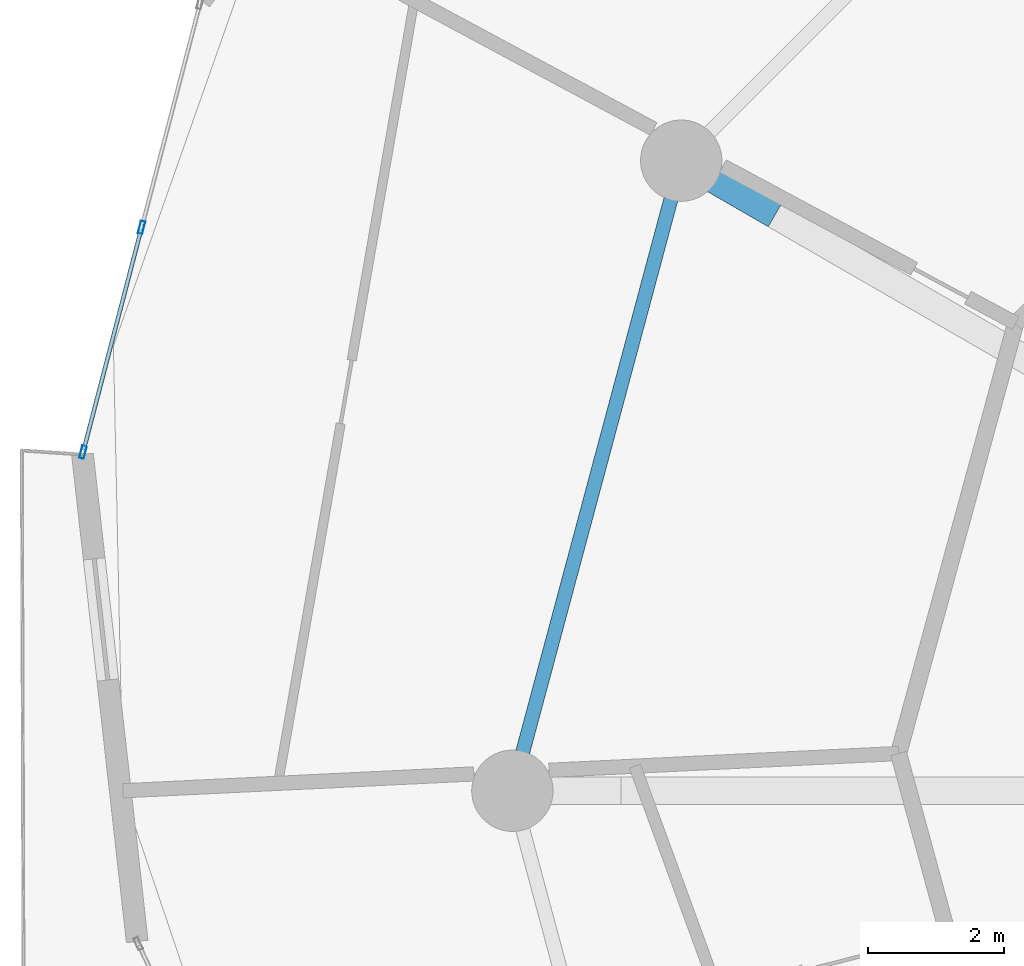
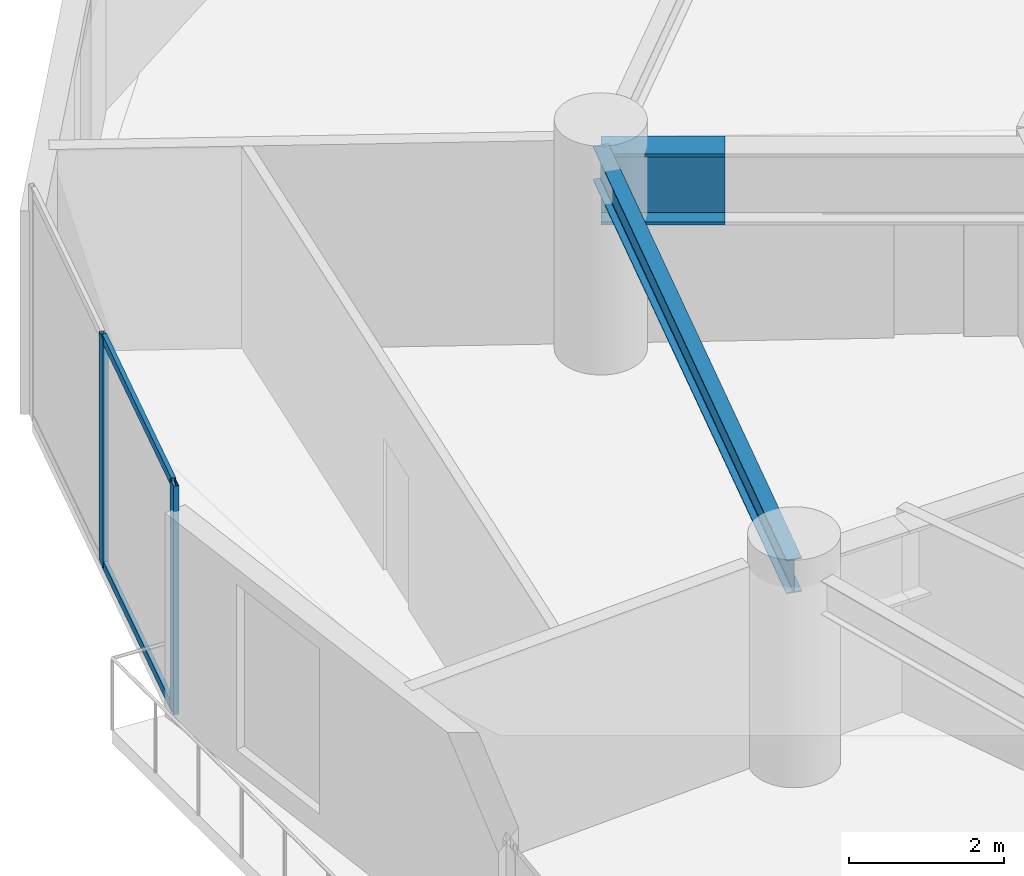
# One storey, part 6 of 24: 4 members, 2 beams, 1 element without a shape of its own.
"""IFC4 building model written with IfcOpenShell, lengths in metres."""

from ifc_helpers import new_model, si_unit, direction, frame, origin, origin_2d, place, context, subcontext, project, spatial, hollow_rectangle, i_section, extrude, source, transform, mapped, material, layer, layer_set, material_profile, profile_set, type_object, element, aggregate, save


model = new_model("IFC4")

# Units and contexts
model_context = context("Model", 3, precision=1e-05, world=origin(), true_north=direction((0.0, 1.0)))
body_context = subcontext(model_context, "Body", "Model", "MODEL_VIEW")
ifc_project = project(units=[si_unit("LENGTHUNIT", "METRE"), si_unit("AREAUNIT", "SQUARE_METRE"), si_unit("VOLUMEUNIT", "CUBIC_METRE"), si_unit("PLANEANGLEUNIT", "RADIAN"), si_unit("MASSUNIT", "GRAM", prefix="KILO")], contexts=[model_context])

# Site, building, storey
site_placement = place(None, origin())
site = spatial("IfcSite", under=ifc_project, at=site_placement, CompositionType="ELEMENT")
building_placement = place(site_placement, origin())
building = spatial("IfcBuilding", under=site, at=building_placement, Name="Solvirekh Grand Hotel", CompositionType="ELEMENT")
storey_placement = place(building_placement, frame((0.0, 0.0, 89.60009765625)))
storey = spatial("IfcBuildingStorey", under=building, at=storey_placement, Name="L22", CompositionType="ELEMENT", Elevation=89.60009765625)

# Beams
ifc_material_1 = material(Name="Steel S355", Category="steel")
ifc_material_profile_1 = material_profile(ifc_material_1, i_section(OverallWidth=0.208984375, OverallDepth=0.532958984375, WebThickness=0.010009765625, FlangeThickness=0.014892578125, FilletRadius=0.013916015625, at=origin_2d()), Name="W530X92")
ifc_profile_set_1 = profile_set([ifc_material_profile_1], Name="Steel S355")
beam_type_1 = type_object("IfcBeamType", Name="Spandrel_Ring_W530", PredefinedType="SPANDREL", material=ifc_profile_set_1)
beam_1_placement = place(storey_placement, frame((-16.10791015625, 9.300048828125, 2.933837890625), z_axis=(-0.258842973314, -0.965919414426, 0.0), x_axis=(0.965919414426, -0.258842973314, 0.0)))
element("IfcBeam", 1, at=beam_1_placement, inside=storey, type_object=beam_type_1, Name="L22 perimeter spandrel beam 6", PredefinedType="SPANDREL", context=body_context, shape_type="SweptSolid", body=[
    extrude(i_section(OverallWidth=0.208984375, OverallDepth=0.532958984375, WebThickness=0.010009765625, FlangeThickness=0.014892578125, FilletRadius=0.013916015625, at=origin_2d()), origin(), (0.0, 0.0, 1.0), 9.628173828125),
])
ifc_material_2 = material(Name="Steel S460", Category="steel")
ifc_material_profile_2 = material_profile(ifc_material_2, i_section(OverallWidth=0.405029296875, OverallDepth=1.117919921875, WebThickness=0.02587890625, FlangeThickness=0.048095703125, FilletRadius=0.02392578125, at=origin_2d()), Name="W1100X499")
ifc_profile_set_2 = profile_set([ifc_material_profile_2], Name="Steel S460")
beam_type_2 = type_object("IfcBeamType", Name="TransferGirder_W1100", PredefinedType="USERDEFINED", material=ifc_profile_set_2)
beam_2_placement = place(storey_placement, frame((-14.721923828125, 8.5, 2.640869140625), z_axis=(-0.866066190972, 0.499929347863, 0.0), x_axis=(-0.499929347863, -0.866066190972, 0.0)))
element("IfcBeam", 2, at=beam_2_placement, inside=storey, type_object=beam_type_2, Name="L22 outer radial transfer girder 6B", ObjectType="TRANSFER GIRDER", PredefinedType="USERDEFINED", context=body_context, shape_type="SweptSolid", body=[
    extrude(i_section(OverallWidth=0.405029296875, OverallDepth=1.117919921875, WebThickness=0.02587890625, FlangeThickness=0.048095703125, FilletRadius=0.02392578125, at=origin_2d()), origin(), (0.0, 0.0, 1.0), 1.600341796875),
])

# Curtain wall, members
ifc_material_3 = material(Name="Anodized Bronze Aluminium 6063-T6", Category="aluminium")
ifc_layer = layer(ifc_material_3, 0.18994140625)
ifc_layer_set = layer_set([ifc_layer], Name="Anodized Bronze Aluminium 6063-T6")
curtain_wall_type = type_object("IfcCurtainWallType", Name="CW_Sys2_LowZoneFlushBronzeCW", PredefinedType="NOTDEFINED", material=ifc_layer_set)
curtain_wall_placement = place(storey_placement, origin())
curtain_wall = element("IfcCurtainWall", 3, at=curtain_wall_placement, inside=storey, type_object=curtain_wall_type, Name="L22 unitised bronze-glass curtain wall CW-L22-C11", PredefinedType="NOTDEFINED")
ifc_material_profile_3 = material_profile(ifc_material_3, hollow_rectangle(XDim=0.070068359375, YDim=0.18994140625, WallThickness=0.0048828125, at=origin_2d()), Name="ALU RHS 190X70X5")
ifc_profile_set_3 = profile_set([ifc_material_profile_3], Name="Anodized Bronze Aluminium 6063-T6")
member_type_1 = type_object("IfcMemberType", Name="CWMullion_Sys2", PredefinedType="MULLION", material=ifc_profile_set_3)
shared_shape_1 = source(origin(), body_context, "Body", "SweptSolid", [
    extrude(hollow_rectangle(XDim=0.070068359375, YDim=0.18994140625, WallThickness=0.0048828125, at=origin_2d()), origin(), (0.0, 0.0, 1.0), 3.599853515625),
])
member_1_placement = place(storey_placement, frame((-24.072021484375, 8.31494140625, 0.0), z_axis=(0.0, 0.0, 1.0), x_axis=(0.967700020826, -0.252104481701, 0.0)))
member_1 = element("IfcMember", 4, at=member_1_placement, type_object=member_type_1, Name="U02 mullion 2", PredefinedType="MULLION", context=body_context, shape_type="MappedRepresentation", body=[
    mapped(shared_shape_1, transform((0.0, 0.0, 0.0), x_axis=(1.0, 0.0, 0.0), y_axis=(0.0, 1.0, 0.0), z_axis=(0.0, 0.0, 1.0), scale=1.0)),
])
member_2_placement = place(storey_placement, frame((-24.936279296875, 4.997802734375, 0.0), z_axis=(0.0, 0.0, 1.0), x_axis=(0.967700020826, -0.252104481701, 0.0)))
member_2 = element("IfcMember", 5, at=member_2_placement, type_object=member_type_1, Name="U02 mullion 3", PredefinedType="MULLION", context=body_context, shape_type="MappedRepresentation", body=[
    mapped(shared_shape_1, transform((0.0, 0.0, 0.0), x_axis=(1.0, 0.0, 0.0), y_axis=(0.0, 1.0, 0.0), z_axis=(0.0, 0.0, 1.0), scale=1.0)),
])
ifc_material_profile_4 = material_profile(ifc_material_3, hollow_rectangle(XDim=0.06005859375, YDim=0.135009765625, WallThickness=0.00390625, at=origin_2d()), Name="ALU RHS 135X60X4")
ifc_profile_set_4 = profile_set([ifc_material_profile_4], Name="Anodized Bronze Aluminium 6063-T6")
member_type_2 = type_object("IfcMemberType", Name="CWTransom_Sys2", PredefinedType="USERDEFINED", material=ifc_profile_set_4)
shared_shape_2 = source(origin(), body_context, "Body", "SweptSolid", [
    extrude(hollow_rectangle(XDim=0.06005859375, YDim=0.135009765625, WallThickness=0.00390625, at=origin_2d()), origin(), (0.0, 0.0, 1.0), 3.35791015625),
])
member_3_placement = place(storey_placement, frame((-24.080810546875, 8.28125, 0.02978515625), z_axis=(-0.252069677375, -0.967709087354, 0.0), x_axis=(0.967709087354, -0.252069677375, 0.0)))
member_3 = element("IfcMember", 6, at=member_3_placement, type_object=member_type_2, Name="U02 transom 2.1", ObjectType="TRANSOM", PredefinedType="USERDEFINED", context=body_context, shape_type="MappedRepresentation", body=[
    mapped(shared_shape_2, transform((0.0, 0.0, 0.0), x_axis=(1.0, 0.0, 0.0), y_axis=(0.0, 1.0, 0.0), z_axis=(0.0, 0.0, 1.0), scale=1.0)),
])
member_4_placement = place(storey_placement, frame((-24.080810546875, 8.28125, 3.56982421875), z_axis=(-0.252069677375, -0.967709087354, 0.0), x_axis=(0.967709087354, -0.252069677375, 0.0)))
member_4 = element("IfcMember", 7, at=member_4_placement, type_object=member_type_2, Name="U02 transom 2.2", ObjectType="TRANSOM", PredefinedType="USERDEFINED", context=body_context, shape_type="MappedRepresentation", body=[
    mapped(shared_shape_2, transform((0.0, 0.0, 0.0), x_axis=(1.0, 0.0, 0.0), y_axis=(0.0, 1.0, 0.0), z_axis=(0.0, 0.0, 1.0), scale=1.0)),
])
aggregate(curtain_wall, [member_1, member_2, member_3, member_4])

save(model, "model.ifc")
